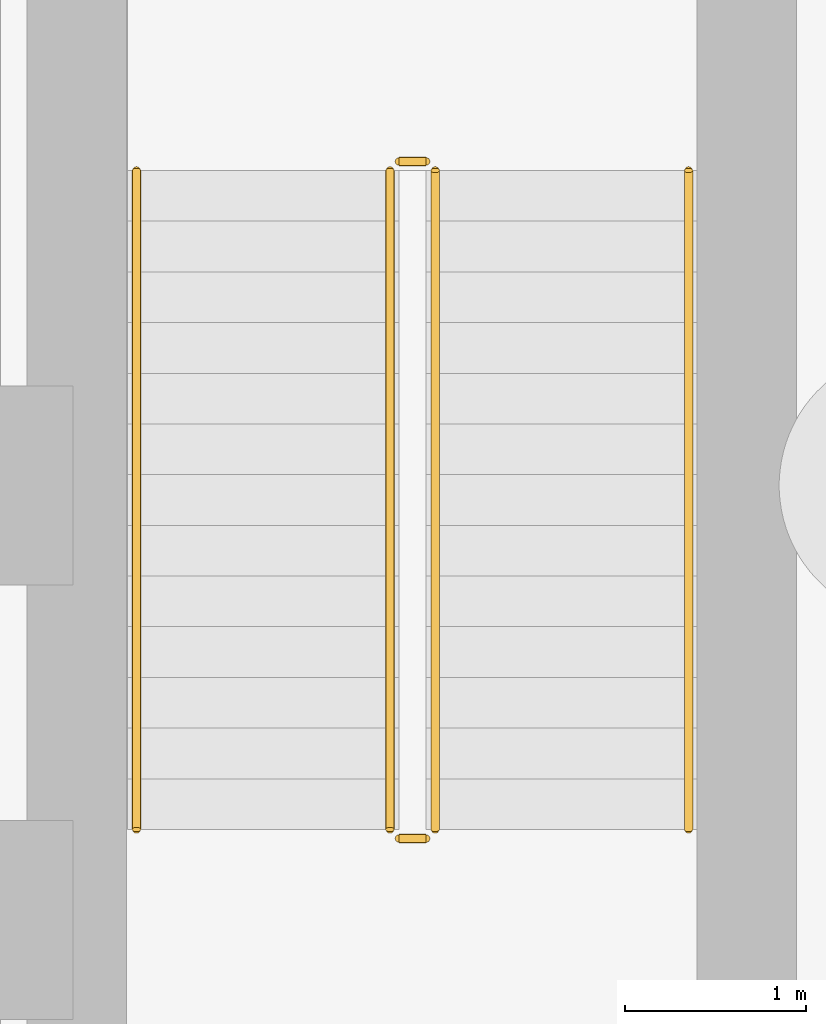
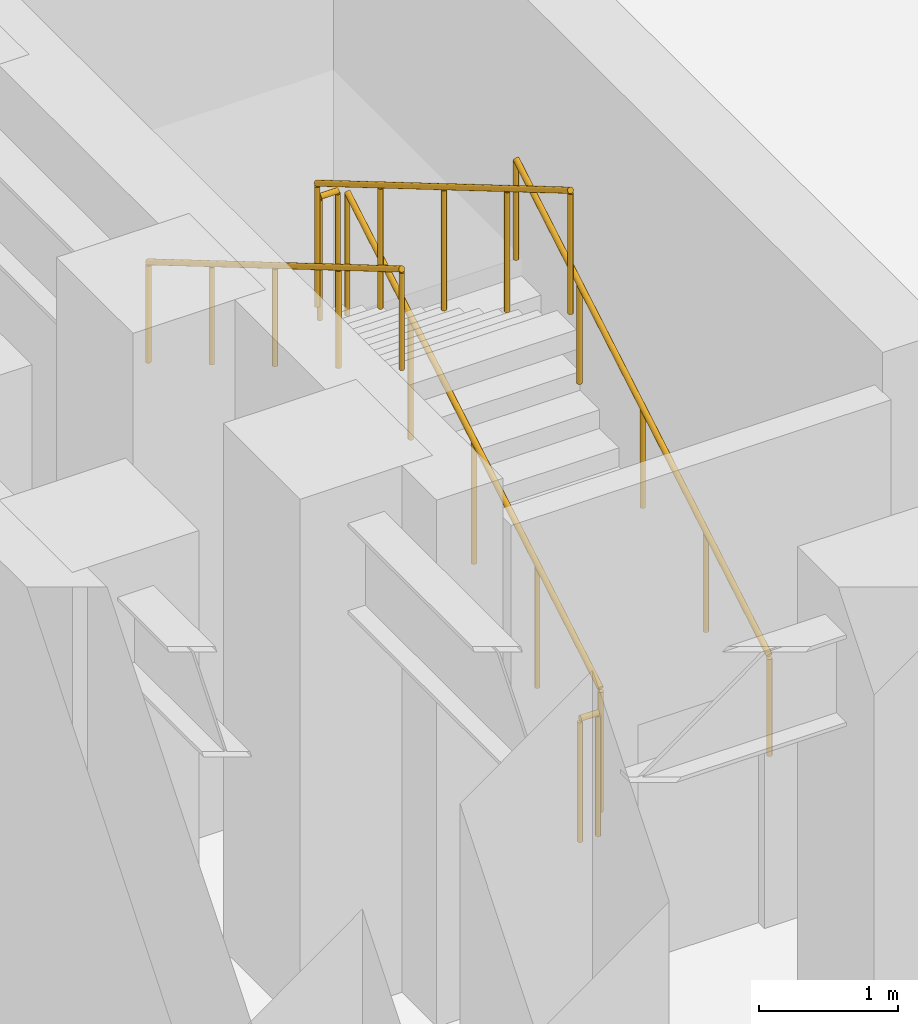
# One storey, part 10 of 13: 6 railings.
"""IFC4 building model written with IfcOpenShell, lengths in metres."""

from ifc_helpers import new_model, si_unit, direction, frame, origin, origin_2d, place, context, subcontext, project, spatial, circle, extrude, material, type_object, element, save


model = new_model("IFC4")

# Units and contexts
model_context = context("Model", 3, precision=1e-05, world=origin(), true_north=direction((0.0, 1.0)))
body_context = subcontext(model_context, "Body", "Model", "MODEL_VIEW")
ifc_project = project(units=[si_unit("LENGTHUNIT", "METRE"), si_unit("AREAUNIT", "SQUARE_METRE"), si_unit("VOLUMEUNIT", "CUBIC_METRE"), si_unit("PLANEANGLEUNIT", "RADIAN"), si_unit("MASSUNIT", "GRAM", prefix="KILO")], contexts=[model_context])

# Site, building, storey
site_placement = place(None, origin())
site = spatial("IfcSite", under=ifc_project, at=site_placement, CompositionType="ELEMENT")
building_placement = place(site_placement, origin())
building = spatial("IfcBuilding", under=site, at=building_placement, Name="Kefirva Bronze Tower", CompositionType="ELEMENT")
storey_placement = place(building_placement, frame((0.0, 0.0, -9.239990234375)))
storey = spatial("IfcBuildingStorey", under=building, at=storey_placement, Name="B2", CompositionType="ELEMENT", Elevation=-9.239990234375)

# Railings
ifc_material = material(Name="Stainless steel 316", Category="steel")
railing_type_1 = type_object("IfcRailingType", Name="Interior Stair Guardrail 1100mm", PredefinedType="GUARDRAIL", material=ifc_material)
railing_1_placement = place(storey_placement, frame((3.35009765625, 4.699951171875, 0.1650390625)))
element("IfcRailing", 1, at=railing_1_placement, inside=storey, type_object=railing_type_1, Name="B2 ST-3 stair guard 1", PredefinedType="GUARDRAIL", context=body_context, shape_type="SweptSolid", body=[
    extrude(circle(Radius=0.02392578125, at=origin_2d()), frame((0.0, 0.0, 1.076171875), z_axis=(0.0, 0.861544779993, 0.507681585313), x_axis=(-1.0, 0.0, 0.0)), (0.0, 0.0, 1.0), 4.22509765625),
    extrude(circle(Radius=0.02099609375, at=origin_2d()), origin(), (0.0, 0.0, 1.0), 1.052001953125),
    extrude(circle(Radius=0.02099609375, at=origin_2d()), frame((0.0, 0.91015625, 0.5361328125)), (0.0, 0.0, 1.0), 1.052001953125),
    extrude(circle(Radius=0.02099609375, at=origin_2d()), frame((0.0, 1.820068359375, 1.072509765625)), (0.0, 0.0, 1.0), 1.052001953125),
    extrude(circle(Radius=0.02099609375, at=origin_2d()), frame((0.0, 2.72998046875, 1.60888671875)), (0.0, 0.0, 1.0), 1.052001953125),
    extrude(circle(Radius=0.02099609375, at=origin_2d()), frame((0.0, 3.64013671875, 2.14501953125)), (0.0, 0.0, 1.0), 1.052001953125),
])
railing_2_placement = place(storey_placement, frame((3.300048828125, 8.389892578125, 2.31005859375)))
element("IfcRailing", 2, at=railing_2_placement, inside=storey, type_object=railing_type_1, Name="B2 ST-3 stair guard 2", PredefinedType="GUARDRAIL", context=body_context, shape_type="SweptSolid", body=[
    extrude(circle(Radius=0.02392578125, at=origin_2d()), frame((0.0, 0.0, 1.076171875), z_axis=(-1.0, 0.0, 0.0), x_axis=(0.0, -1.0, 0.0)), (0.0, 0.0, 1.0), 0.150146484375),
    extrude(circle(Radius=0.02099609375, at=origin_2d()), origin(), (0.0, 0.0, 1.0), 1.052001953125),
    extrude(circle(Radius=0.02099609375, at=origin_2d()), frame((-0.150146484375, 0.0, 0.0)), (0.0, 0.0, 1.0), 1.052001953125),
])
railing_3_placement = place(storey_placement, frame((3.10009765625, 8.340087890625, 2.47509765625)))
element("IfcRailing", 3, at=railing_3_placement, inside=storey, type_object=railing_type_1, Name="B2 ST-3 stair guard 3", PredefinedType="GUARDRAIL", context=body_context, shape_type="SweptSolid", body=[
    extrude(circle(Radius=0.02392578125, at=origin_2d()), frame((0.0, 0.0, 1.076171875), z_axis=(0.0, -0.861570053405, 0.507638693438), x_axis=(1.0, 0.0, 0.0)), (0.0, 0.0, 1.0), 4.22509765625),
    extrude(circle(Radius=0.02099609375, at=origin_2d()), origin(), (0.0, 0.0, 1.0), 1.052001953125),
    extrude(circle(Radius=0.02099609375, at=origin_2d()), frame((0.0, -0.91015625, 0.5361328125)), (0.0, 0.0, 1.0), 1.052001953125),
    extrude(circle(Radius=0.02099609375, at=origin_2d()), frame((0.0, -1.820068359375, 1.072265625)), (0.0, 0.0, 1.0), 1.052001953125),
    extrude(circle(Radius=0.02099609375, at=origin_2d()), frame((0.0, -2.72998046875, 1.608642578125)), (0.0, 0.0, 1.0), 1.052001953125),
    extrude(circle(Radius=0.02099609375, at=origin_2d()), frame((0.0, -3.64013671875, 2.144775390625)), (0.0, 0.0, 1.0), 1.052001953125),
])
railing_4_placement = place(storey_placement, frame((3.300048828125, 4.64990234375, 0.0)))
element("IfcRailing", 4, at=railing_4_placement, inside=storey, type_object=railing_type_1, Name="B2 ST-3 stair guard 4", PredefinedType="GUARDRAIL", context=body_context, shape_type="SweptSolid", body=[
    extrude(circle(Radius=0.02392578125, at=origin_2d()), frame((0.0, 0.0, 1.076171875), z_axis=(-1.0, 0.0, 0.0), x_axis=(0.0, -1.0, 0.0)), (0.0, 0.0, 1.0), 0.150146484375),
    extrude(circle(Radius=0.02099609375, at=origin_2d()), origin(), (0.0, 0.0, 1.0), 1.052001953125),
    extrude(circle(Radius=0.02099609375, at=origin_2d()), frame((-0.150146484375, 0.0, 0.0)), (0.0, 0.0, 1.0), 1.052001953125),
])
railing_type_2 = type_object("IfcRailingType", Name="Stair Pitch Handrail 900mm", PredefinedType="HANDRAIL", material=ifc_material)
railing_5_placement = place(storey_placement, frame((4.75, 4.699951171875, 0.1650390625)))
element("IfcRailing", 5, at=railing_5_placement, inside=storey, type_object=railing_type_2, Name="B2 ST-3 stair handrail 1", PredefinedType="HANDRAIL", context=body_context, shape_type="SweptSolid", body=[
    extrude(circle(Radius=0.02392578125, at=origin_2d()), frame((0.0, 0.0, 0.8759765625), z_axis=(0.0, 0.861544779993, 0.507681585313), x_axis=(-1.0, 0.0, 0.0)), (0.0, 0.0, 1.0), 4.22509765625),
    extrude(circle(Radius=0.02099609375, at=origin_2d()), origin(), (0.0, 0.0, 1.0), 0.851806640625),
    extrude(circle(Radius=0.02099609375, at=origin_2d()), frame((0.0, 0.91015625, 0.5361328125)), (0.0, 0.0, 1.0), 0.851806640625),
    extrude(circle(Radius=0.02099609375, at=origin_2d()), frame((0.0, 1.820068359375, 1.072509765625)), (0.0, 0.0, 1.0), 0.851806640625),
    extrude(circle(Radius=0.02099609375, at=origin_2d()), frame((0.0, 2.72998046875, 1.60888671875)), (0.0, 0.0, 1.0), 0.851806640625),
    extrude(circle(Radius=0.02099609375, at=origin_2d()), frame((0.0, 3.64013671875, 2.14501953125)), (0.0, 0.0, 1.0), 0.851806640625),
])
railing_6_placement = place(storey_placement, frame((1.699951171875, 8.340087890625, 2.47509765625)))
element("IfcRailing", 6, at=railing_6_placement, inside=storey, type_object=railing_type_2, Name="B2 ST-3 stair handrail 2", PredefinedType="HANDRAIL", context=body_context, shape_type="SweptSolid", body=[
    extrude(circle(Radius=0.02392578125, at=origin_2d()), frame((0.0, 0.0, 0.8759765625), z_axis=(0.0, -0.861570053405, 0.507638693438), x_axis=(1.0, 0.0, 0.0)), (0.0, 0.0, 1.0), 4.22509765625),
    extrude(circle(Radius=0.02099609375, at=origin_2d()), origin(), (0.0, 0.0, 1.0), 0.851806640625),
    extrude(circle(Radius=0.02099609375, at=origin_2d()), frame((0.0, -0.91015625, 0.5361328125)), (0.0, 0.0, 1.0), 0.851806640625),
    extrude(circle(Radius=0.02099609375, at=origin_2d()), frame((0.0, -1.820068359375, 1.072265625)), (0.0, 0.0, 1.0), 0.851806640625),
    extrude(circle(Radius=0.02099609375, at=origin_2d()), frame((0.0, -2.72998046875, 1.608642578125)), (0.0, 0.0, 1.0), 0.851806640625),
    extrude(circle(Radius=0.02099609375, at=origin_2d()), frame((0.0, -3.64013671875, 2.144775390625)), (0.0, 0.0, 1.0), 0.851806640625),
])

save(model, "model.ifc")
